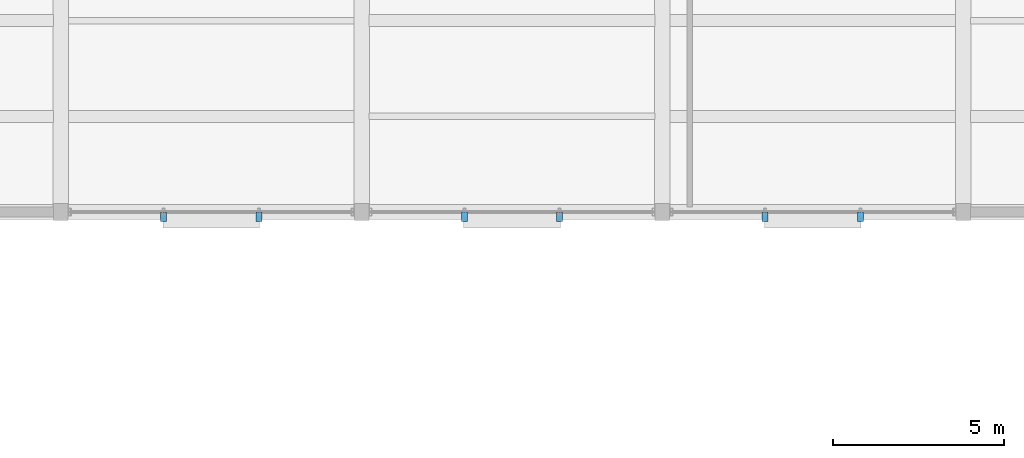
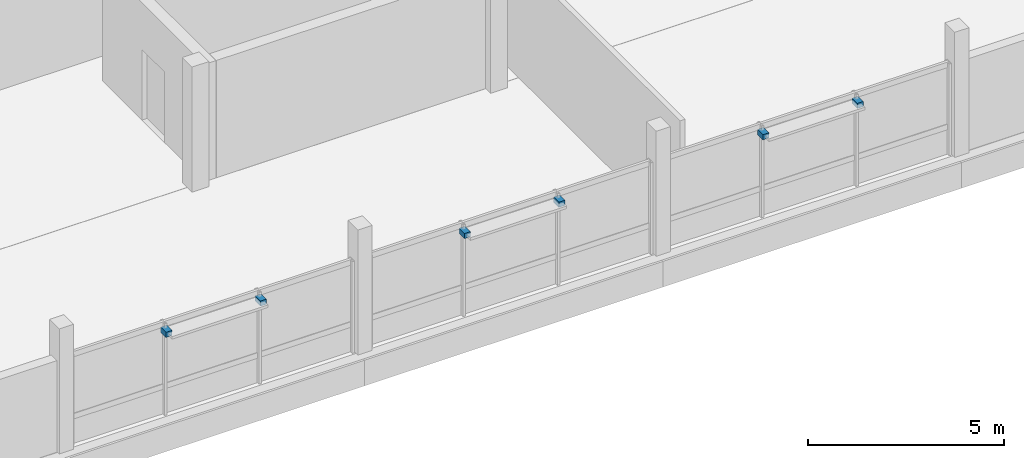
# One storey, part 58 of 62: 6 discrete accessories.
"""IFC4 building model written with IfcOpenShell, lengths in metres."""

import ifcopenshell
import ifcopenshell.guid

model = None  # the IFC model being written
_history = None  # IfcOwnerHistory: only IFC2X3 demands one
_inside = {}  # id of a spatial element -> (the spatial element, [elements in it])
_under = {}  # id of a project, library or spatial element -> (it, [spatial elements below it])
_declared = {}  # id of a project -> (the project, [libraries it declares])
_typed = {}  # id of a type object -> (the type object, [elements of that type])
_made_of = {}  # id of a material, layer set ... -> (it, [elements and type objects made of it])


def new_model(schema):
    """Start an empty IFC model of exactly this schema.

    Asked for "IFC4X3", IfcOpenShell would pick the latest addendum, in which some entities
    have other attributes; the version numbers below select the first issue.
    IFC2X3 requires an IfcOwnerHistory on every rooted entity: one is made here for all.
    """
    global model, _history
    if schema == "IFC4X3":
        model = ifcopenshell.file(schema_version=(4, 3, 0, 0))
    else:
        model = ifcopenshell.file(schema=schema)
    _inside.clear()
    _under.clear()
    _declared.clear()
    _typed.clear()
    _made_of.clear()
    _history = None
    if model.schema == "IFC2X3":
        org = make("IfcOrganization", Name="unknown")
        user = make(
            "IfcPersonAndOrganization",
            ThePerson=make("IfcPerson", FamilyName="unknown"),
            TheOrganization=org,
        )
        app = make(
            "IfcApplication",
            ApplicationDeveloper=org,
            Version="unknown",
            ApplicationFullName="unknown",
            ApplicationIdentifier="unknown",
        )
        _history = make(
            "IfcOwnerHistory",
            OwningUser=user,
            OwningApplication=app,
            ChangeAction="ADDED",
            CreationDate=0,
        )
    return model


def make(cls, **values):
    """One entity of the class cls with the attributes given. An attribute that is None is left unset."""
    return model.create_entity(
        cls, **{name: value for name, value in values.items() if value is not None}
    )


def rooted(cls, **values):
    """An entity with a GlobalId (a new one), such as an element, a storey or a relation."""
    return make(cls, GlobalId=ifcopenshell.guid.new(), OwnerHistory=_history, **values)


def si_unit(unit_type, name, prefix=None):
    """IfcSIUnit, for example si_unit("LENGTHUNIT", "METRE", prefix="MILLI")."""
    return make("IfcSIUnit", UnitType=unit_type, Prefix=prefix, Name=name)


def assignment(units):
    """IfcUnitAssignment: the units of a project."""
    return None if units is None else make("IfcUnitAssignment", Units=units)


def point(xyz):
    """IfcCartesianPoint."""
    return None if xyz is None else make("IfcCartesianPoint", Coordinates=xyz)


def direction(xyz):
    """IfcDirection."""
    return None if xyz is None else make("IfcDirection", DirectionRatios=xyz)


def frame(location, z_axis=None, x_axis=None):
    """IfcAxis2Placement3D, a coordinate frame: its origin and axes. An axis left out is left unset."""
    return make(
        "IfcAxis2Placement3D",
        Location=point(location),
        Axis=direction(z_axis),
        RefDirection=direction(x_axis),
    )


def frame_2d(location, x_axis=None):
    """IfcAxis2Placement2D, a coordinate frame in the plane: its origin and x axis."""
    return make(
        "IfcAxis2Placement2D", Location=point(location), RefDirection=direction(x_axis)
    )


def origin():
    """The frame at (0, 0, 0) with its axes left unset."""
    return frame((0.0, 0.0, 0.0))


def origin_2d():
    """The frame at (0, 0) in the plane with its x axis left unset."""
    return frame_2d((0.0, 0.0))


def place(relative_to, where):
    """IfcLocalPlacement: puts the frame where relative to a parent placement (None: the world)."""
    return make(
        "IfcLocalPlacement", PlacementRelTo=relative_to, RelativePlacement=where
    )


def context(
    kind, dimensions, precision=None, world=None, true_north=None, identifier=None
):
    """IfcGeometricRepresentationContext, for example the 3D "Model" context."""
    return make(
        "IfcGeometricRepresentationContext",
        ContextIdentifier=identifier,
        ContextType=kind,
        CoordinateSpaceDimension=dimensions,
        Precision=precision,
        WorldCoordinateSystem=world,
        TrueNorth=true_north,
    )


def subcontext(parent, identifier, kind, view, scale=None):
    """IfcGeometricRepresentationSubContext, for example "Body" below "Model"."""
    return make(
        "IfcGeometricRepresentationSubContext",
        ContextIdentifier=identifier,
        ContextType=kind,
        ParentContext=parent,
        TargetScale=scale,
        TargetView=view,
    )


def project(units=None, contexts=None):
    """IfcProject with its units and contexts."""
    return rooted(
        "IfcProject",
        Name="project",
        RepresentationContexts=contexts,
        UnitsInContext=assignment(units),
    )


def spatial(cls, under=None, at=None, **own):
    """A site, building, storey or space (cls), placed at a placement, below another one or the project."""
    s = rooted(cls, ObjectPlacement=at, **own)
    if under is not None:
        _under.setdefault(under.id(), (under, []))[1].append(s)
    return s


def profile(cls, at=None, kind="AREA", **sizes):
    """A parametric profile (cls). Its sizes go by their IFC names, for example OverallWidth=200.0."""
    return make(cls, ProfileType=kind, Position=at, **sizes)


def rectangle(**sizes):
    """IfcRectangleProfileDef."""
    return profile("IfcRectangleProfileDef", **sizes)


def extrude(swept, where, along, depth):
    """IfcExtrudedAreaSolid: the profile swept, set in the frame where, extruded along a direction by depth."""
    return make(
        "IfcExtrudedAreaSolid",
        SweptArea=swept,
        Position=where,
        ExtrudedDirection=direction(along),
        Depth=depth,
    )


def shape(context_of_items, identifier, shape_type, items):
    """IfcShapeRepresentation: the items that make up one representation, for example the "Body"."""
    return make(
        "IfcShapeRepresentation",
        ContextOfItems=context_of_items,
        RepresentationIdentifier=identifier,
        RepresentationType=shape_type,
        Items=items,
    )


def material(Name=None, Category=None):
    """IfcMaterial."""
    return make("IfcMaterial", Name=Name, Category=Category)


def made_of(thing, what):
    """Note that an element or type object is made of a material, layer set ...; save() writes the relation."""
    if what is not None:
        _made_of.setdefault(what.id(), (what, []))[1].append(thing)
    return thing


def type_object(cls, material=None, **own):
    """A type object (cls), such as IfcWallType, which elements share."""
    return made_of(rooted(cls, **own), material)


def element(
    cls,
    number,
    at=None,
    inside=None,
    cuts=None,
    type_object=None,
    material=None,
    context=None,
    identifier="Body",
    shape_type=None,
    held_by="IfcProductDefinitionShape",
    body=None,
    shapes=None,
    **own,
):
    """One element of the class cls, such as IfcWall. Its Tag is "e" and its number.

    at: its placement. inside: the storey or other place that contains it. cuts: it is an
    opening in that element (IfcRelVoidsElement). A single representation is given by context,
    identifier, shape_type and body (its items); several are given by shapes. held_by: the class
    of the entity that holds the representations. save() writes the other relations.
    """
    e = rooted(cls, Tag="e%d" % number, ObjectPlacement=at, **own)
    if body is not None:
        shapes = [shape(context, identifier, shape_type, body)]
    if shapes is not None:
        e.Representation = make(held_by, Representations=shapes)
    if inside is not None:
        _inside.setdefault(inside.id(), (inside, []))[1].append(e)
    if cuts is not None:
        rooted(
            "IfcRelVoidsElement", RelatingBuildingElement=cuts, RelatedOpeningElement=e
        )
    if type_object is not None:
        _typed.setdefault(type_object.id(), (type_object, []))[1].append(e)
    return made_of(e, material)


def aggregate(whole, parts):
    """IfcRelAggregates: a whole, such as a stair, and the parts it consists of."""
    return rooted("IfcRelAggregates", RelatingObject=whole, RelatedObjects=parts)


def save(model, path):
    """Write the relations noted so far, then the file.

    IfcRelAggregates (storeys below a building ...), IfcRelContainedInSpatialStructure (elements
    in a storey), IfcRelDefinesByType, IfcRelAssociatesMaterial and IfcRelDeclares: one each for
    every whole, place, type object, material and project.
    """
    for whole, parts in _under.values():
        aggregate(whole, parts)
    for where, things in _inside.values():
        rooted(
            "IfcRelContainedInSpatialStructure",
            RelatedElements=things,
            RelatingStructure=where,
        )
    for kind, things in _typed.values():
        rooted("IfcRelDefinesByType", RelatedObjects=things, RelatingType=kind)
    for what, things in _made_of.values():
        rooted("IfcRelAssociatesMaterial", RelatedObjects=things, RelatingMaterial=what)
    for by, libraries in _declared.values():
        rooted("IfcRelDeclares", RelatingContext=by, RelatedDefinitions=libraries)
    model.write(path)


model = new_model("IFC4")

# Units and contexts
model_context = context("Model", 3, precision=1e-05, world=origin(), true_north=direction((0.0, 1.0)))
body_context = subcontext(model_context, "Body", "Model", "MODEL_VIEW")
ifc_project = project(units=[si_unit("LENGTHUNIT", "METRE"), si_unit("AREAUNIT", "SQUARE_METRE"), si_unit("VOLUMEUNIT", "CUBIC_METRE"), si_unit("PLANEANGLEUNIT", "RADIAN"), si_unit("MASSUNIT", "GRAM", prefix="KILO")], contexts=[model_context])

# Site, building, storey
site_placement = place(None, origin())
site = spatial("IfcSite", under=ifc_project, at=site_placement, CompositionType="ELEMENT")
building_placement = place(site_placement, origin())
building = spatial("IfcBuilding", under=site, at=building_placement, Name="Meriwether Solvik Hall", CompositionType="ELEMENT")
storey_placement = place(building_placement, frame((0.0, 0.0, 14.39990234375)))
storey = spatial("IfcBuildingStorey", under=building, at=storey_placement, Name="L03", CompositionType="ELEMENT", Elevation=14.39990234375)

# Discrete accessories
ifc_material = material(Name="Steel A36 Galvanised", Category="steel")
discrete_accessory_type = type_object("IfcDiscreteAccessoryType", Name="ACC-BRK-STL", PredefinedType="BRACKET", material=ifc_material)
for number, where, z_axis, x_axis, name in (
    (1, (137.5927734375, 49.860107421875, 2.55517578125), (0.0, 0.0, 1.0), (-1.0, 0.0, 0.0), "Sunshade Outrigger Bracket wing_XF_15_8-1"),
    (2, (134.807373046875, 49.860107421875, 2.55517578125), (0.0, 0.0, 1.0), (-1.0, 0.0, 0.0), "Sunshade Outrigger Bracket wing_XF_15_8-2"),
    (3, (146.392578125, 49.860107421875, 2.55517578125), (0.0, 0.0, 1.0), (-1.0, 0.0, 0.0), "Sunshade Outrigger Bracket wing_XF_16_9-1"),
    (4, (143.607421875, 49.860107421875, 2.55517578125), (0.0, 0.0, 1.0), (-1.0, 0.0, 0.0), "Sunshade Outrigger Bracket wing_XF_16_9-2"),
    (5, (155.192626953125, 49.860107421875, 2.55517578125), (0.0, 0.0, 1.0), (-1.0, 0.0, 0.0), "Sunshade Outrigger Bracket wing_XF_17_10-1"),
    (6, (152.4072265625, 49.860107421875, 2.55517578125), (0.0, 0.0, 1.0), (-1.0, 0.0, 0.0), "Sunshade Outrigger Bracket wing_XF_17_10-2"),
):
    element("IfcDiscreteAccessory", number, at=place(storey_placement, frame(where, z_axis=z_axis, x_axis=x_axis)), inside=storey, type_object=discrete_accessory_type, Name=name, PredefinedType="BRACKET", context=body_context, shape_type="SweptSolid", body=[
        extrude(rectangle(XDim=0.179931640625, YDim=0.280029296875, at=origin_2d()), origin(), (0.0, 0.0, 1.0), 0.159912109375),
    ])

save(model, "model.ifc")
